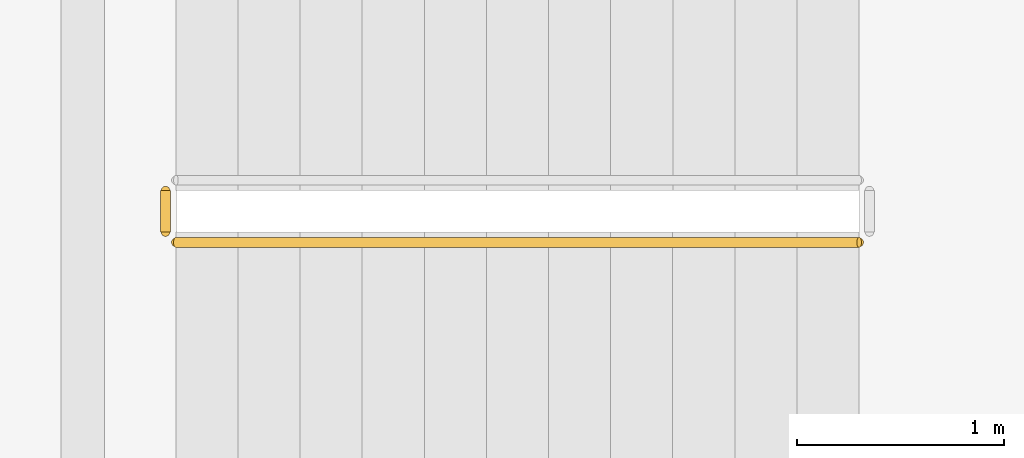
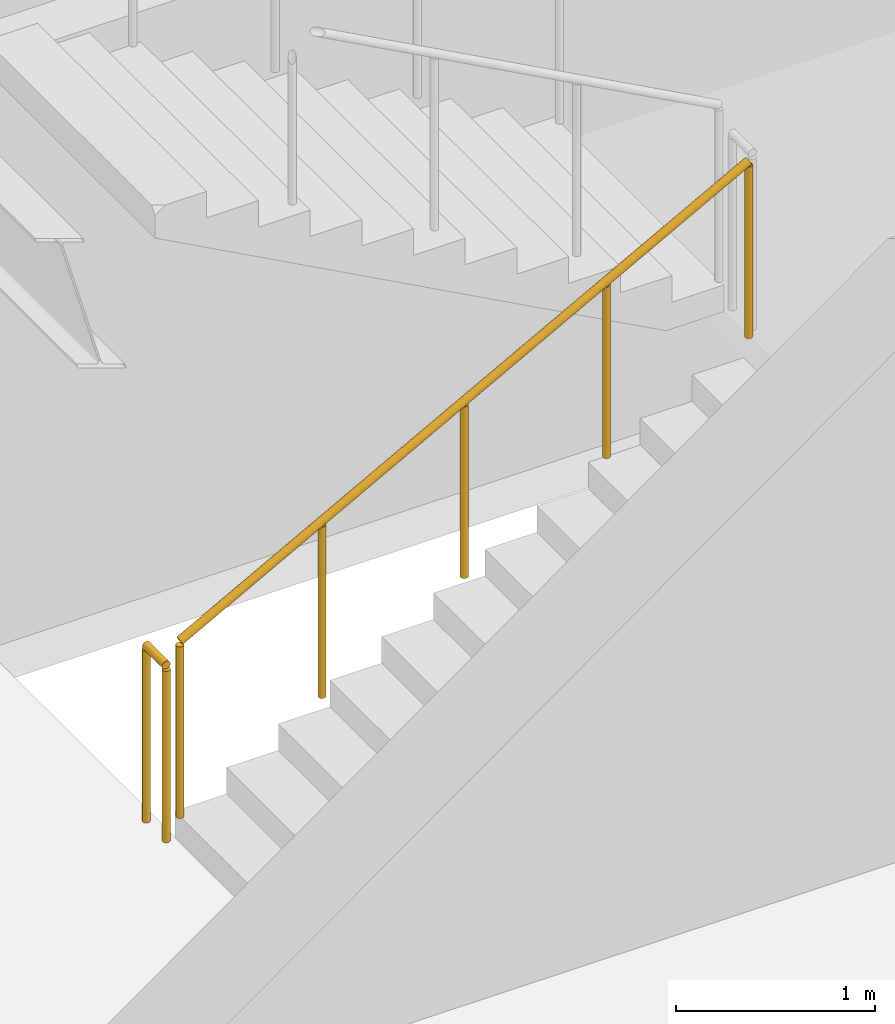
# One storey, part 78 of 80: 2 railings.
"""IFC4 building model written with IfcOpenShell, lengths in metres."""

from ifc_helpers import new_model, si_unit, direction, frame, origin, origin_2d, place, context, subcontext, project, spatial, circle, extrude, material, layer, layer_set, type_object, element, save


model = new_model("IFC4")

# Units and contexts
model_context = context("Model", 3, precision=1e-05, world=origin(), true_north=direction((0.0, 1.0)))
body_context = subcontext(model_context, "Body", "Model", "MODEL_VIEW")
ifc_project = project(units=[si_unit("LENGTHUNIT", "METRE"), si_unit("AREAUNIT", "SQUARE_METRE"), si_unit("VOLUMEUNIT", "CUBIC_METRE"), si_unit("PLANEANGLEUNIT", "RADIAN"), si_unit("MASSUNIT", "GRAM", prefix="KILO")], contexts=[model_context])

# Site, building, storey
site_placement = place(None, origin())
site = spatial("IfcSite", under=ifc_project, at=site_placement, CompositionType="ELEMENT")
building_placement = place(site_placement, origin())
building = spatial("IfcBuilding", under=site, at=building_placement, Name="Vaelcorin Mobility Hub", CompositionType="ELEMENT")
storey_placement = place(building_placement, frame((0.0, 0.0, 9.300048828125)))
storey = spatial("IfcBuildingStorey", under=building, at=storey_placement, Name="L02", CompositionType="ELEMENT", Elevation=9.300048828125)

# Railings
ifc_material = material(Name="Brushed stainless steel 316L", Category="steel")
ifc_layer = layer(ifc_material, 0.048095703125)
ifc_layer_set = layer_set([ifc_layer], Name="Brushed stainless steel 316L")
railing_type = type_object("IfcRailingType", Name="RL-STAIR-GRD", PredefinedType="GUARDRAIL", material=ifc_layer_set)
railing_1_placement = place(storey_placement, frame((179.25, 117.39990234375, 0.162353515625)))
element("IfcRailing", 1, at=railing_1_placement, inside=storey, type_object=railing_type, Name="L02 ST6 stair guard 1", PredefinedType="GUARDRAIL", context=body_context, shape_type="SweptSolid", body=[
    extrude(circle(Radius=0.02392578125, at=origin_2d()), frame((0.0, 0.0, 1.076171875), z_axis=(0.879284020681, 0.0, 0.476297817521), x_axis=(0.0, 1.0, 0.0)), (0.0, 0.0, 1.0), 3.753173828125),
    extrude(circle(Radius=0.02099609375, at=origin_2d()), origin(), (0.0, 0.0, 1.0), 1.052001953125),
    extrude(circle(Radius=0.02099609375, at=origin_2d()), frame((0.824951171875, 0.0, 0.44677734375)), (0.0, 0.0, 1.0), 1.052001953125),
    extrude(circle(Radius=0.02099609375, at=origin_2d()), frame((1.64990234375, 0.0, 0.893798828125)), (0.0, 0.0, 1.0), 1.052001953125),
    extrude(circle(Radius=0.02099609375, at=origin_2d()), frame((2.47509765625, 0.0, 1.3408203125)), (0.0, 0.0, 1.0), 1.052001953125),
    extrude(circle(Radius=0.02099609375, at=origin_2d()), frame((3.300048828125, 0.0, 1.78759765625)), (0.0, 0.0, 1.0), 1.052001953125),
])
railing_2_placement = place(storey_placement, frame((179.199951171875, 117.449951171875, 0.0)))
element("IfcRailing", 2, at=railing_2_placement, inside=storey, type_object=railing_type, Name="L02 ST6 stair guard 4", PredefinedType="GUARDRAIL", context=body_context, shape_type="SweptSolid", body=[
    extrude(circle(Radius=0.02392578125, at=origin_2d()), frame((0.0, 0.0, 1.076171875), z_axis=(0.0, 1.0, 0.0), x_axis=(-1.0, 0.0, 0.0)), (0.0, 0.0, 1.0), 0.199951171875),
    extrude(circle(Radius=0.02099609375, at=origin_2d()), origin(), (0.0, 0.0, 1.0), 1.052001953125),
    extrude(circle(Radius=0.02099609375, at=origin_2d()), frame((0.0, 0.199951171875, 0.0)), (0.0, 0.0, 1.0), 1.052001953125),
])

save(model, "model.ifc")
